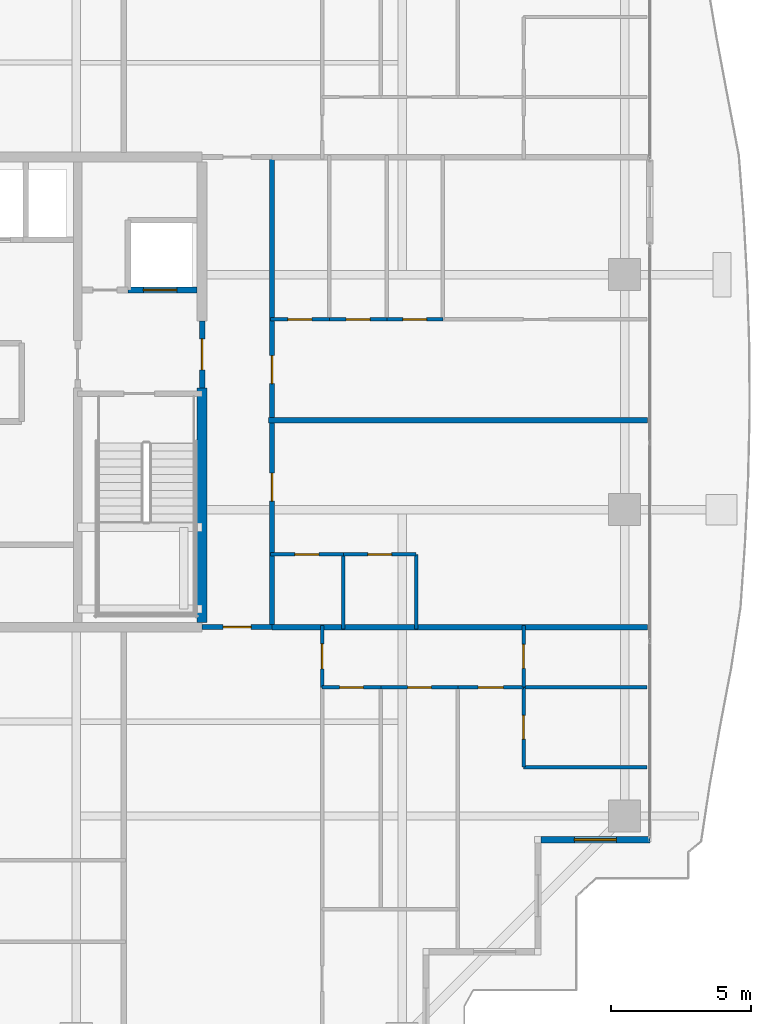
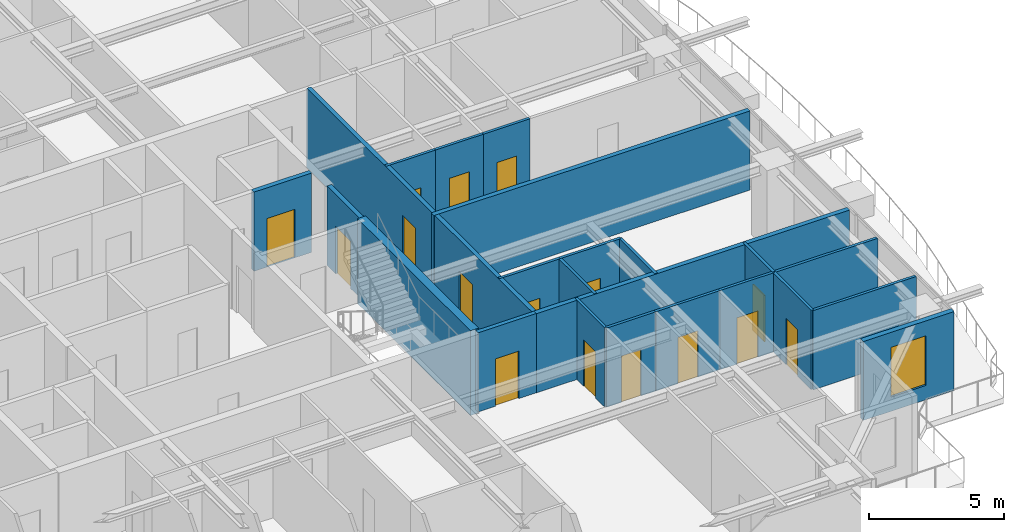
# One storey, part 28 of 38: 23 walls, 16 doors, 1 window, 17 openings.
"""IFC4 building model written with IfcOpenShell, lengths in metres."""

from ifc_helpers import new_model, si_unit, direction, frame, frame_2d, origin, place, context, subcontext, project, spatial, rectangle, extrude, source, transform, mapped, material, layer, layer_set, type_object, element, fill, save


model = new_model("IFC4")

# Units and contexts
model_context = context("Model", 3, precision=1e-05, world=origin(), true_north=direction((0.0, 1.0)))
body_context = subcontext(model_context, "Body", "Model", "MODEL_VIEW")
ifc_project = project(units=[si_unit("LENGTHUNIT", "METRE"), si_unit("AREAUNIT", "SQUARE_METRE"), si_unit("VOLUMEUNIT", "CUBIC_METRE"), si_unit("PLANEANGLEUNIT", "RADIAN"), si_unit("MASSUNIT", "GRAM", prefix="KILO")], contexts=[model_context])

# Site, building, storey
site_placement = place(None, origin())
site = spatial("IfcSite", under=ifc_project, at=site_placement, CompositionType="ELEMENT")
building_placement = place(site_placement, origin())
building = spatial("IfcBuilding", under=site, at=building_placement, Name="Serunith Strait Residences", CompositionType="ELEMENT")
storey_placement = place(building_placement, frame((0.0, 0.0, 245.10009765625)))
storey = spatial("IfcBuildingStorey", under=building, at=storey_placement, Name="L61", CompositionType="ELEMENT", Elevation=245.10009765625)

# Wall, opening, window
ifc_material_1 = material(Name="Pale-Champagne Aluminium Insulated Panel", Category="aluminium")
ifc_layer_1 = layer(ifc_material_1, 0.219970703125, Name="Pale-Champagne Aluminium Insulated Panel")
ifc_layer_set_1 = layer_set([ifc_layer_1], Name="Pale-Champagne Aluminium Insulated Panel")
wall_type_1 = type_object("IfcWallType", Name="EW-ALUM-220", PredefinedType="ELEMENTEDWALL", material=ifc_layer_set_1)
wall_1_placement = place(storey_placement, frame((53.510009765625, 9.199951171875, 0.0), z_axis=(0.0, 0.0, 1.0), x_axis=(1.0, 0.0, 0.0)))
wall_1 = element("IfcWall", 1, at=wall_1_placement, inside=storey, type_object=wall_type_1, Name="L61 Girih Serrated Corner Wall 05", PredefinedType="ELEMENTEDWALL", context=body_context, shape_type="SweptSolid", body=[
    extrude(rectangle(XDim=3.889892578125, YDim=0.219970703125, at=frame_2d((1.94482421875, 0.0))), origin(), (0.0, 0.0, 1.0), 3.574951171875),
])
opening_1_placement = place(wall_1_placement, frame((1.195068359375, 0.0, 0.64990234375)))
opening_1 = element("IfcOpeningElement", 2, at=opening_1_placement, cuts=wall_1, Name="Opening W-05", PredefinedType="OPENING", context=body_context, shape_type="SweptSolid", body=[
    extrude(rectangle(XDim=1.5, YDim=2.25, at=frame_2d((0.75, 1.125))), frame((0.0, 0.1201171875, 0.0), z_axis=(0.0, -1.0, 0.0), x_axis=(1.0, 0.0, 0.0)), (0.0, 0.0, 1.0), 0.239990234375),
])
ifc_material_2 = material(Name="Ceramic-Fritted Operable Aluminium Window Glass", Category="aluminium")
window_type = type_object("IfcWindowType", Name="WIN-C5", PartitioningType="DOUBLE_PANEL_VERTICAL", PredefinedType="WINDOW", material=ifc_material_2)
shared_shape_1 = source(origin(), body_context, "Body", "SweptSolid", [
    extrude(rectangle(XDim=1.5, YDim=2.25, at=frame_2d((0.75, 1.125))), frame((0.0, 0.030029296875, 0.0), z_axis=(0.0, -1.0, 0.0), x_axis=(1.0, 0.0, 0.0)), (0.0, 0.0, 1.0), 0.06005859375),
])
window_placement = place(opening_1_placement, origin())
window = element("IfcWindow", 3, at=window_placement, inside=storey, type_object=window_type, Name="L61 Corner Operable Fritted Window 05", OverallHeight=2.25, OverallWidth=1.5, PartitioningType="SINGLE_PANEL", PredefinedType="WINDOW", context=body_context, shape_type="MappedRepresentation", body=[
    mapped(shared_shape_1, transform((0.0, 0.0, 0.0), scale=1.0)),
])
fill(opening_1, window)

# Wall, opening, door
ifc_material_3 = material(Name="Fire-rated acoustic gypsum partition")
ifc_layer_2 = layer(ifc_material_3, 0.179931640625, Name="Fire-rated acoustic gypsum partition")
ifc_layer_set_2 = layer_set([ifc_layer_2], Name="Fire-rated acoustic gypsum partition")
wall_type_2 = type_object("IfcWallType", Name="IW-CORR-180", PredefinedType="PARTITIONING", material=ifc_layer_set_2)
wall_2_placement = place(storey_placement, frame((41.402099609375, 16.800048828125, 0.0), z_axis=(0.0, 0.0, 1.0), x_axis=(1.0, 0.0, 0.0)))
wall_2 = element("IfcWall", 4, at=wall_2_placement, inside=storey, type_object=wall_type_2, Name="L61 Partition Wall 029", PredefinedType="PARTITIONING", context=body_context, shape_type="SweptSolid", body=[
    extrude(rectangle(XDim=2.495849609375, YDim=0.179931640625, at=frame_2d((1.248046875, 0.0))), origin(), (0.0, 0.0, 1.0), 3.58984375),
])
opening_2_placement = place(wall_2_placement, frame((0.748046875, 0.0, 0.0)))
opening_2 = element("IfcOpeningElement", 5, at=opening_2_placement, cuts=wall_2, Name="Opening D-APT1000", PredefinedType="OPENING", context=body_context, shape_type="SweptSolid", body=[
    extrude(rectangle(XDim=1.0, YDim=2.14990234375, at=frame_2d((0.5, 1.074951171875))), frame((0.0, 0.10009765625, 0.0), z_axis=(0.0, -1.0, 0.0), x_axis=(1.0, 0.0, 0.0)), (0.0, 0.0, 1.0), 0.199951171875),
])
ifc_material_4 = material(Name="Solid timber engineered fire door", Category="wood")
door_type_1 = type_object("IfcDoorType", Name="ID-APT-1000", OperationType="NOTDEFINED", PredefinedType="DOOR", material=ifc_material_4)
shared_shape_2 = source(origin(), body_context, "Body", "SweptSolid", [
    extrude(rectangle(XDim=1.0, YDim=2.14990234375, at=frame_2d((0.5, 1.074951171875))), frame((0.0, 0.02490234375, 0.0), z_axis=(0.0, -1.0, 0.0), x_axis=(1.0, 0.0, 0.0)), (0.0, 0.0, 1.0), 0.050048828125),
])
door_1_placement = place(opening_2_placement, origin())
door_1 = element("IfcDoor", 6, at=door_1_placement, inside=storey, type_object=door_type_1, Name="L61 Unit 02 Entrance Door", OperationType="SINGLE_SWING_LEFT", OverallHeight=2.14990234375, OverallWidth=1.0, PredefinedType="DOOR", context=body_context, shape_type="MappedRepresentation", body=[
    mapped(shared_shape_2, transform((0.0, 0.0, 0.0), scale=1.0)),
])
fill(opening_2, door_1)

# Wall, openings, doors
wall_3_placement = place(storey_placement, frame((43.89990234375, 16.800048828125, 0.0), z_axis=(0.0, 0.0, 1.0), x_axis=(0.0, 1.0, 0.0)))
wall_3 = element("IfcWall", 7, at=wall_3_placement, inside=storey, type_object=wall_type_2, Name="L61 Partition Wall 031", PredefinedType="PARTITIONING", context=body_context, shape_type="SweptSolid", body=[
    extrude(rectangle(XDim=16.800048828125, YDim=0.179931640625, at=frame_2d((8.39990234375, 0.0))), origin(), (0.0, 0.0, 1.0), 3.58984375),
])
opening_3_placement = place(wall_3_placement, frame((4.5029296875, 0.0, 0.0)))
opening_3 = element("IfcOpeningElement", 8, at=opening_3_placement, cuts=wall_3, Name="Opening D-APT1000", PredefinedType="OPENING", context=body_context, shape_type="SweptSolid", body=[
    extrude(rectangle(XDim=1.0, YDim=2.14990234375, at=frame_2d((0.5, 1.074951171875))), frame((0.0, 0.10009765625, 0.0), z_axis=(0.0, -1.0, 0.0), x_axis=(1.0, 0.0, 0.0)), (0.0, 0.0, 1.0), 0.199951171875),
])
opening_4_placement = place(wall_3_placement, frame((8.7060546875, 0.0, 0.0)))
opening_4 = element("IfcOpeningElement", 9, at=opening_4_placement, cuts=wall_3, Name="Opening D-APT1000", PredefinedType="OPENING", context=body_context, shape_type="SweptSolid", body=[
    extrude(rectangle(XDim=1.0, YDim=2.14990234375, at=frame_2d((0.5, 1.074951171875))), frame((0.0, 0.10009765625, 0.0), z_axis=(0.0, -1.0, 0.0), x_axis=(1.0, 0.0, 0.0)), (0.0, 0.0, 1.0), 0.199951171875),
])
door_2_placement = place(opening_3_placement, origin())
door_2 = element("IfcDoor", 10, at=door_2_placement, inside=storey, type_object=door_type_1, Name="L61 Unit 07 Entrance Door", OperationType="SINGLE_SWING_LEFT", OverallHeight=2.14990234375, OverallWidth=1.0, PredefinedType="DOOR", context=body_context, shape_type="MappedRepresentation", body=[
    mapped(shared_shape_2, transform((0.0, 0.0, 0.0), scale=1.0)),
])
fill(opening_3, door_2)
door_3_placement = place(opening_4_placement, origin())
door_3 = element("IfcDoor", 11, at=door_3_placement, inside=storey, type_object=door_type_1, Name="L61 Unit 08 Entrance Door", OperationType="SINGLE_SWING_RIGHT", OverallHeight=2.14990234375, OverallWidth=1.0, PredefinedType="DOOR", context=body_context, shape_type="MappedRepresentation", body=[
    mapped(shared_shape_2, transform((0.0, 0.0, 0.0), scale=1.0)),
])
fill(opening_4, door_3)

# Wall, opening, door
ifc_material_5 = material(Name="Lightweight steel-stud gypsum partition", Category="steel")
ifc_layer_3 = layer(ifc_material_5, 0.1201171875, Name="Lightweight steel-stud gypsum partition")
ifc_layer_set_3 = layer_set([ifc_layer_3], Name="Lightweight steel-stud gypsum partition")
wall_type_3 = type_object("IfcWallType", Name="IW-PART-120", PredefinedType="PARTITIONING", material=ifc_layer_set_3)
wall_4_placement = place(storey_placement, frame((45.68994140625, 14.64990234375, 0.0), z_axis=(0.0, 0.0, 1.0), x_axis=(0.0, 1.0, 0.0)))
wall_4 = element("IfcWall", 12, at=wall_4_placement, inside=storey, type_object=wall_type_3, Name="L61 Partition Wall 054", PredefinedType="PARTITIONING", context=body_context, shape_type="SweptSolid", body=[
    extrude(rectangle(XDim=2.210205078125, YDim=0.1201171875, at=frame_2d((1.10498046875, 0.0))), origin(), (0.0, 0.0, 1.0), 3.58984375),
])
opening_5_placement = place(wall_4_placement, frame((0.655029296875, 0.0, 0.0)))
opening_5 = element("IfcOpeningElement", 13, at=opening_5_placement, cuts=wall_4, Name="Opening D-RM900", PredefinedType="OPENING", context=body_context, shape_type="SweptSolid", body=[
    extrude(rectangle(XDim=0.89990234375, YDim=2.10009765625, at=frame_2d((0.449951171875, 1.050048828125))), frame((0.0, 0.070068359375, 0.0), z_axis=(0.0, -1.0, 0.0), x_axis=(1.0, 0.0, 0.0)), (0.0, 0.0, 1.0), 0.14013671875),
])
ifc_material_6 = material(Name="Engineered timber flush bedroom door", Category="wood")
door_type_2 = type_object("IfcDoorType", Name="ID-ROOM-900", OperationType="NOTDEFINED", PredefinedType="DOOR", material=ifc_material_6)
shared_shape_3 = source(origin(), body_context, "Body", "SweptSolid", [
    extrude(rectangle(XDim=0.89990234375, YDim=2.10009765625, at=frame_2d((0.449951171875, 1.050048828125))), frame((0.0, 0.02490234375, 0.0), z_axis=(0.0, -1.0, 0.0), x_axis=(1.0, 0.0, 0.0)), (0.0, 0.0, 1.0), 0.050048828125),
])
door_4_placement = place(opening_5_placement, origin())
door_4 = element("IfcDoor", 14, at=door_4_placement, inside=storey, type_object=door_type_2, Name="L61 Hall E 6102 Door", OperationType="SINGLE_SWING_RIGHT", OverallHeight=2.10009765625, OverallWidth=0.89990234375, PredefinedType="DOOR", context=body_context, shape_type="MappedRepresentation", body=[
    mapped(shared_shape_3, transform((0.0, 0.0, 0.0), scale=1.0)),
])
fill(opening_5, door_4)

wall_5_placement = place(storey_placement, frame((45.68994140625, 14.64990234375, 0.0), z_axis=(0.0, 0.0, 1.0), x_axis=(1.0, 0.0, 0.0)))
wall_5 = element("IfcWall", 15, at=wall_5_placement, inside=storey, type_object=wall_type_3, Name="L61 Partition Wall 060", PredefinedType="PARTITIONING", context=body_context, shape_type="SweptSolid", body=[
    extrude(rectangle(XDim=2.10009765625, YDim=0.1201171875, at=frame_2d((1.050048828125, 0.0))), origin(), (0.0, 0.0, 1.0), 3.58984375),
])
opening_6_placement = place(wall_5_placement, frame((0.625, 0.0, 0.0)))
opening_6 = element("IfcOpeningElement", 16, at=opening_6_placement, cuts=wall_5, Name="Opening D-BTH850", PredefinedType="OPENING", context=body_context, shape_type="SweptSolid", body=[
    extrude(rectangle(XDim=0.85009765625, YDim=2.10009765625, at=frame_2d((0.425048828125, 1.050048828125))), frame((0.0, 0.070068359375, 0.0), z_axis=(0.0, -1.0, 0.0), x_axis=(1.0, 0.0, 0.0)), (0.0, 0.0, 1.0), 0.14013671875),
])
ifc_material_7 = material(Name="Moisture-resistant timber bathroom door", Category="wood")
door_type_3 = type_object("IfcDoorType", Name="ID-BATH-850", OperationType="NOTDEFINED", PredefinedType="DOOR", material=ifc_material_7)
shared_shape_4 = source(origin(), body_context, "Body", "SweptSolid", [
    extrude(rectangle(XDim=0.85009765625, YDim=2.10009765625, at=frame_2d((0.425048828125, 1.050048828125))), frame((0.0, 0.02490234375, 0.0), z_axis=(0.0, -1.0, 0.0), x_axis=(1.0, 0.0, 0.0)), (0.0, 0.0, 1.0), 0.050048828125),
])
door_5_placement = place(opening_6_placement, origin())
door_5 = element("IfcDoor", 17, at=door_5_placement, inside=storey, type_object=door_type_3, Name="L61 Bathroom 6102 Door", OperationType="SINGLE_SWING_RIGHT", OverallHeight=2.10009765625, OverallWidth=0.85009765625, PredefinedType="DOOR", context=body_context, shape_type="MappedRepresentation", body=[
    mapped(shared_shape_4, transform((0.0, 0.0, 0.0), scale=1.0)),
])
fill(opening_6, door_5)

wall_6_placement = place(storey_placement, frame((47.7919921875, 14.64990234375, 0.0), z_axis=(0.0, 0.0, 1.0), x_axis=(1.0, 0.0, 0.0)))
wall_6 = element("IfcWall", 18, at=wall_6_placement, inside=storey, type_object=wall_type_3, Name="L61 Partition Wall 061", PredefinedType="PARTITIONING", context=body_context, shape_type="SweptSolid", body=[
    extrude(rectangle(XDim=2.748046875, YDim=0.1201171875, at=frame_2d((1.3740234375, 0.0))), origin(), (0.0, 0.0, 1.0), 3.58984375),
])
opening_7_placement = place(wall_6_placement, frame((0.948974609375, 0.0, 0.0)))
opening_7 = element("IfcOpeningElement", 19, at=opening_7_placement, cuts=wall_6, Name="Opening D-RM850", PredefinedType="OPENING", context=body_context, shape_type="SweptSolid", body=[
    extrude(rectangle(XDim=0.85009765625, YDim=2.10009765625, at=frame_2d((0.425048828125, 1.050048828125))), frame((0.0, 0.070068359375, 0.0), z_axis=(0.0, -1.0, 0.0), x_axis=(1.0, 0.0, 0.0)), (0.0, 0.0, 1.0), 0.14013671875),
])
ifc_material_8 = material(Name="Engineered timber flush study and kitchen door", Category="wood")
door_type_4 = type_object("IfcDoorType", Name="ID-ROOM-850", OperationType="NOTDEFINED", PredefinedType="DOOR", material=ifc_material_8)
door_6_placement = place(opening_7_placement, origin())
door_6 = element("IfcDoor", 20, at=door_6_placement, inside=storey, type_object=door_type_4, Name="L61 Kitchen 6102 Door", OperationType="SINGLE_SWING_LEFT", OverallHeight=2.10009765625, OverallWidth=0.85009765625, PredefinedType="DOOR", context=body_context, shape_type="MappedRepresentation", body=[
    mapped(shared_shape_4, transform((0.0, 0.0, 0.0), scale=1.0)),
])
fill(opening_7, door_6)

wall_7_placement = place(storey_placement, frame((50.5419921875, 14.64990234375, 0.0), z_axis=(0.0, 0.0, 1.0), x_axis=(1.0, 0.0, 0.0)))
wall_7 = element("IfcWall", 21, at=wall_7_placement, inside=storey, type_object=wall_type_3, Name="L61 Partition Wall 062", PredefinedType="PARTITIONING", context=body_context, shape_type="SweptSolid", body=[
    extrude(rectangle(XDim=2.347900390625, YDim=0.1201171875, at=frame_2d((1.173828125, 0.0))), origin(), (0.0, 0.0, 1.0), 3.58984375),
])
opening_8_placement = place(wall_7_placement, frame((0.72412109375, 0.0, 0.0)))
opening_8 = element("IfcOpeningElement", 22, at=opening_8_placement, cuts=wall_7, Name="Opening D-RM900", PredefinedType="OPENING", context=body_context, shape_type="SweptSolid", body=[
    extrude(rectangle(XDim=0.89990234375, YDim=2.10009765625, at=frame_2d((0.449951171875, 1.050048828125))), frame((0.0, 0.070068359375, 0.0), z_axis=(0.0, -1.0, 0.0), x_axis=(1.0, 0.0, 0.0)), (0.0, 0.0, 1.0), 0.14013671875),
])
door_7_placement = place(opening_8_placement, origin())
door_7 = element("IfcDoor", 23, at=door_7_placement, inside=storey, type_object=door_type_2, Name="L61 Master Bedroom E 6102 Door", OperationType="SINGLE_SWING_RIGHT", OverallHeight=2.10009765625, OverallWidth=0.89990234375, PredefinedType="DOOR", context=body_context, shape_type="MappedRepresentation", body=[
    mapped(shared_shape_3, transform((0.0, 0.0, 0.0), scale=1.0)),
])
fill(opening_8, door_7)

# Walls
wall_8_placement = place(storey_placement, frame((52.889892578125, 11.79296875, 0.0), z_axis=(0.0, 0.0, 1.0), x_axis=(1.0, 0.0, 0.0)))
element("IfcWall", 24, at=wall_8_placement, inside=storey, type_object=wall_type_3, Name="L61 Partition Wall 063", PredefinedType="PARTITIONING", context=body_context, shape_type="SweptSolid", body=[
    extrude(rectangle(XDim=4.4150390625, YDim=0.1201171875, at=frame_2d((2.20751953125, 0.0))), origin(), (0.0, 0.0, 1.0), 3.58984375),
])
wall_9_placement = place(storey_placement, frame((52.89208984375, 14.64990234375, 0.0), z_axis=(0.0, 0.0, 1.0), x_axis=(1.0, 0.0, 0.0)))
element("IfcWall", 25, at=wall_9_placement, inside=storey, type_object=wall_type_3, Name="L61 Partition Wall 064", PredefinedType="PARTITIONING", context=body_context, shape_type="SweptSolid", body=[
    extrude(rectangle(XDim=4.412841796875, YDim=0.1201171875, at=frame_2d((2.20654296875, 0.0))), origin(), (0.0, 0.0, 1.0), 3.58984375),
])

# Wall, opening, door
wall_10_placement = place(storey_placement, frame((52.889892578125, 11.79296875, 0.0), z_axis=(0.0, 0.0, 1.0), x_axis=(0.0, 1.0, 0.0)))
wall_10 = element("IfcWall", 26, at=wall_10_placement, inside=storey, type_object=wall_type_3, Name="L61 Partition Wall 065", PredefinedType="PARTITIONING", context=body_context, shape_type="SweptSolid", body=[
    extrude(rectangle(XDim=2.85693359375, YDim=0.1201171875, at=frame_2d((1.428466796875, 0.0))), origin(), (0.0, 0.0, 1.0), 3.58984375),
])
opening_9_placement = place(wall_10_placement, frame((1.00390625, 0.0, 0.0)))
opening_9 = element("IfcOpeningElement", 27, at=opening_9_placement, cuts=wall_10, Name="Opening D-BTH850", PredefinedType="OPENING", context=body_context, shape_type="SweptSolid", body=[
    extrude(rectangle(XDim=0.85009765625, YDim=2.10009765625, at=frame_2d((0.425048828125, 1.050048828125))), frame((0.0, 0.070068359375, 0.0), z_axis=(0.0, -1.0, 0.0), x_axis=(1.0, 0.0, 0.0)), (0.0, 0.0, 1.0), 0.14013671875),
])
door_8_placement = place(opening_9_placement, origin())
door_8 = element("IfcDoor", 28, at=door_8_placement, inside=storey, type_object=door_type_3, Name="L61 En-suite Bathroom E 6102 Door", OperationType="SINGLE_SWING_LEFT", OverallHeight=2.10009765625, OverallWidth=0.85009765625, PredefinedType="DOOR", context=body_context, shape_type="MappedRepresentation", body=[
    mapped(shared_shape_4, transform((0.0, 0.0, 0.0), scale=1.0)),
])
fill(opening_9, door_8)

wall_11_placement = place(storey_placement, frame((52.889892578125, 14.652099609375, 0.0), z_axis=(0.0, 0.0, 1.0), x_axis=(0.0, 1.0, 0.0)))
wall_11 = element("IfcWall", 29, at=wall_11_placement, inside=storey, type_object=wall_type_3, Name="L61 Partition Wall 066", PredefinedType="PARTITIONING", context=body_context, shape_type="SweptSolid", body=[
    extrude(rectangle(XDim=2.2080078125, YDim=0.1201171875, at=frame_2d((1.10400390625, 0.0))), origin(), (0.0, 0.0, 1.0), 3.58984375),
])
opening_10_placement = place(wall_11_placement, frame((0.678955078125, 0.0, 0.0)))
opening_10 = element("IfcOpeningElement", 30, at=opening_10_placement, cuts=wall_11, Name="Opening D-RM850", PredefinedType="OPENING", context=body_context, shape_type="SweptSolid", body=[
    extrude(rectangle(XDim=0.85009765625, YDim=2.10009765625, at=frame_2d((0.425048828125, 1.050048828125))), frame((0.0, 0.070068359375, 0.0), z_axis=(0.0, -1.0, 0.0), x_axis=(1.0, 0.0, 0.0)), (0.0, 0.0, 1.0), 0.14013671875),
])
door_9_placement = place(opening_10_placement, origin())
door_9 = element("IfcDoor", 31, at=door_9_placement, inside=storey, type_object=door_type_4, Name="L61 Wardrobe E 6102 Door", OperationType="SINGLE_SWING_RIGHT", OverallHeight=2.10009765625, OverallWidth=0.85009765625, PredefinedType="DOOR", context=body_context, shape_type="MappedRepresentation", body=[
    mapped(shared_shape_4, transform((0.0, 0.0, 0.0), scale=1.0)),
])
fill(opening_10, door_9)

wall_12_placement = place(storey_placement, frame((49.050048828125, 19.39990234375, 0.0), z_axis=(0.0, 0.0, 1.0), x_axis=(-1.0, 0.0, 0.0)))
wall_12 = element("IfcWall", 32, at=wall_12_placement, inside=storey, type_object=wall_type_3, Name="L61 Partition Wall 110", PredefinedType="PARTITIONING", context=body_context, shape_type="SweptSolid", body=[
    extrude(rectangle(XDim=2.60009765625, YDim=0.1201171875, at=frame_2d((1.300048828125, 0.0))), origin(), (0.0, 0.0, 1.0), 3.58984375),
])
opening_11_placement = place(wall_12_placement, frame((0.875, 0.0, 0.0)))
opening_11 = element("IfcOpeningElement", 33, at=opening_11_placement, cuts=wall_12, Name="Opening D-RM850", PredefinedType="OPENING", context=body_context, shape_type="SweptSolid", body=[
    extrude(rectangle(XDim=0.85009765625, YDim=2.10009765625, at=frame_2d((0.425048828125, 1.050048828125))), frame((0.0, 0.070068359375, 0.0), z_axis=(0.0, -1.0, 0.0), x_axis=(1.0, 0.0, 0.0)), (0.0, 0.0, 1.0), 0.14013671875),
])
door_10_placement = place(opening_11_placement, origin())
door_10 = element("IfcDoor", 34, at=door_10_placement, inside=storey, type_object=door_type_4, Name="L61 Kitchen 6107 Door", OperationType="SINGLE_SWING_LEFT", OverallHeight=2.10009765625, OverallWidth=0.85009765625, PredefinedType="DOOR", context=body_context, shape_type="MappedRepresentation", body=[
    mapped(shared_shape_4, transform((0.0, 0.0, 0.0), scale=1.0)),
])
fill(opening_11, door_10)

wall_13_placement = place(storey_placement, frame((46.447998046875, 19.39990234375, 0.0), z_axis=(0.0, 0.0, 1.0), x_axis=(-1.0, 0.0, 0.0)))
wall_13 = element("IfcWall", 35, at=wall_13_placement, inside=storey, type_object=wall_type_3, Name="L61 Partition Wall 111", PredefinedType="PARTITIONING", context=body_context, shape_type="SweptSolid", body=[
    extrude(rectangle(XDim=2.60791015625, YDim=0.1201171875, at=frame_2d((1.303955078125, 0.0))), origin(), (0.0, 0.0, 1.0), 3.58984375),
])
opening_12_placement = place(wall_13_placement, frame((0.87890625, 0.0, 0.0)))
opening_12 = element("IfcOpeningElement", 36, at=opening_12_placement, cuts=wall_13, Name="Opening D-BTH850", PredefinedType="OPENING", context=body_context, shape_type="SweptSolid", body=[
    extrude(rectangle(XDim=0.85009765625, YDim=2.10009765625, at=frame_2d((0.425048828125, 1.050048828125))), frame((0.0, 0.070068359375, 0.0), z_axis=(0.0, -1.0, 0.0), x_axis=(1.0, 0.0, 0.0)), (0.0, 0.0, 1.0), 0.14013671875),
])
door_11_placement = place(opening_12_placement, origin())
door_11 = element("IfcDoor", 37, at=door_11_placement, inside=storey, type_object=door_type_3, Name="L61 Bathroom 6107 Door", OperationType="SINGLE_SWING_RIGHT", OverallHeight=2.10009765625, OverallWidth=0.85009765625, PredefinedType="DOOR", context=body_context, shape_type="MappedRepresentation", body=[
    mapped(shared_shape_4, transform((0.0, 0.0, 0.0), scale=1.0)),
])
fill(opening_12, door_11)

# Walls
for number, where, z_axis, x_axis, name in (
    (38, (46.449951171875, 16.739990234375, 0.0), (0.0, 0.0, 1.0), (0.0, 1.0, 0.0), "L61 Partition Wall 112"),
    (39, (49.050048828125, 16.739990234375, 0.0), (0.0, 0.0, 1.0), (0.0, 1.0, 0.0), "L61 Partition Wall 113"),
):
    element("IfcWall", number, at=place(storey_placement, frame(where, z_axis=z_axis, x_axis=x_axis)), inside=storey, type_object=wall_type_3, Name=name, PredefinedType="PARTITIONING", context=body_context, shape_type="SweptSolid", body=[
        extrude(rectangle(XDim=2.659912109375, YDim=0.1201171875, at=frame_2d((1.330078125, 0.0))), origin(), (0.0, 0.0, 1.0), 3.58984375),
    ])

# Wall, opening, door
wall_14_placement = place(storey_placement, frame((50.0009765625, 27.800048828125, 0.0), z_axis=(0.0, 0.0, 1.0), x_axis=(-1.0, 0.0, 0.0)))
wall_14 = element("IfcWall", 40, at=wall_14_placement, inside=storey, type_object=wall_type_3, Name="L61 Partition Wall 118", PredefinedType="PARTITIONING", context=body_context, shape_type="SweptSolid", body=[
    extrude(rectangle(XDim=1.998046875, YDim=0.1201171875, at=frame_2d((0.9990234375, 0.0))), origin(), (0.0, 0.0, 1.0), 3.58984375),
])
opening_13_placement = place(wall_14_placement, frame((0.573974609375, 0.0, 0.0)))
opening_13 = element("IfcOpeningElement", 41, at=opening_13_placement, cuts=wall_14, Name="Opening D-RM850", PredefinedType="OPENING", context=body_context, shape_type="SweptSolid", body=[
    extrude(rectangle(XDim=0.85009765625, YDim=2.10009765625, at=frame_2d((0.425048828125, 1.050048828125))), frame((0.0, 0.070068359375, 0.0), z_axis=(0.0, -1.0, 0.0), x_axis=(1.0, 0.0, 0.0)), (0.0, 0.0, 1.0), 0.14013671875),
])
door_12_placement = place(opening_13_placement, origin())
door_12 = element("IfcDoor", 42, at=door_12_placement, inside=storey, type_object=door_type_4, Name="L61 Dining 6108 Door", OperationType="SINGLE_SWING_RIGHT", OverallHeight=2.10009765625, OverallWidth=0.85009765625, PredefinedType="DOOR", context=body_context, shape_type="MappedRepresentation", body=[
    mapped(shared_shape_4, transform((0.0, 0.0, 0.0), scale=1.0)),
])
fill(opening_13, door_12)

wall_15_placement = place(storey_placement, frame((48.0009765625, 27.800048828125, 0.0), z_axis=(0.0, 0.0, 1.0), x_axis=(-1.0, 0.0, 0.0)))
wall_15 = element("IfcWall", 43, at=wall_15_placement, inside=storey, type_object=wall_type_3, Name="L61 Partition Wall 119", PredefinedType="PARTITIONING", context=body_context, shape_type="SweptSolid", body=[
    extrude(rectangle(XDim=2.051025390625, YDim=0.1201171875, at=frame_2d((1.025390625, 0.0))), origin(), (0.0, 0.0, 1.0), 3.58984375),
])
opening_14_placement = place(wall_15_placement, frame((0.60009765625, 0.0, 0.0)))
opening_14 = element("IfcOpeningElement", 44, at=opening_14_placement, cuts=wall_15, Name="Opening D-RM850", PredefinedType="OPENING", context=body_context, shape_type="SweptSolid", body=[
    extrude(rectangle(XDim=0.85009765625, YDim=2.10009765625, at=frame_2d((0.425048828125, 1.050048828125))), frame((0.0, 0.070068359375, 0.0), z_axis=(0.0, -1.0, 0.0), x_axis=(1.0, 0.0, 0.0)), (0.0, 0.0, 1.0), 0.14013671875),
])
door_13_placement = place(opening_14_placement, origin())
door_13 = element("IfcDoor", 45, at=door_13_placement, inside=storey, type_object=door_type_4, Name="L61 Kitchen 6108 Door", OperationType="SINGLE_SWING_LEFT", OverallHeight=2.10009765625, OverallWidth=0.85009765625, PredefinedType="DOOR", context=body_context, shape_type="MappedRepresentation", body=[
    mapped(shared_shape_4, transform((0.0, 0.0, 0.0), scale=1.0)),
])
fill(opening_14, door_13)

wall_16_placement = place(storey_placement, frame((45.947998046875, 27.800048828125, 0.0), z_axis=(0.0, 0.0, 1.0), x_axis=(-1.0, 0.0, 0.0)))
wall_16 = element("IfcWall", 46, at=wall_16_placement, inside=storey, type_object=wall_type_3, Name="L61 Partition Wall 120", PredefinedType="PARTITIONING", context=body_context, shape_type="SweptSolid", body=[
    extrude(rectangle(XDim=2.10791015625, YDim=0.1201171875, at=frame_2d((1.053955078125, 0.0))), origin(), (0.0, 0.0, 1.0), 3.58984375),
])
opening_15_placement = place(wall_16_placement, frame((0.62890625, 0.0, 0.0)))
opening_15 = element("IfcOpeningElement", 47, at=opening_15_placement, cuts=wall_16, Name="Opening D-BTH850", PredefinedType="OPENING", context=body_context, shape_type="SweptSolid", body=[
    extrude(rectangle(XDim=0.85009765625, YDim=2.10009765625, at=frame_2d((0.425048828125, 1.050048828125))), frame((0.0, 0.070068359375, 0.0), z_axis=(0.0, -1.0, 0.0), x_axis=(1.0, 0.0, 0.0)), (0.0, 0.0, 1.0), 0.14013671875),
])
door_14_placement = place(opening_15_placement, origin())
door_14 = element("IfcDoor", 48, at=door_14_placement, inside=storey, type_object=door_type_3, Name="L61 Bathroom 6108 Door", OperationType="SINGLE_SWING_RIGHT", OverallHeight=2.10009765625, OverallWidth=0.85009765625, PredefinedType="DOOR", context=body_context, shape_type="MappedRepresentation", body=[
    mapped(shared_shape_4, transform((0.0, 0.0, 0.0), scale=1.0)),
])
fill(opening_15, door_14)

# Walls
ifc_material_9 = material(Name="Twin-stud acoustic gypsum board partition")
ifc_layer_4 = layer(ifc_material_9, 0.199951171875, Name="Twin-stud acoustic gypsum board partition")
ifc_layer_set_4 = layer_set([ifc_layer_4], Name="Twin-stud acoustic gypsum board partition")
wall_type_4 = type_object("IfcWallType", Name="IW-PARTY-200", PredefinedType="PARTITIONING", material=ifc_layer_set_4)
wall_17_placement = place(storey_placement, frame((43.780029296875, 24.199951171875, 0.0), z_axis=(0.0, 0.0, 1.0), x_axis=(1.0, 0.0, 0.0)))
element("IfcWall", 49, at=wall_17_placement, inside=storey, type_object=wall_type_4, Name="L61 Partition Wall 021", PredefinedType="PARTITIONING", context=body_context, shape_type="SweptSolid", body=[
    extrude(rectangle(XDim=13.5380859375, YDim=0.199951171875, at=frame_2d((6.76904296875, 0.0))), origin(), (0.0, 0.0, 1.0), 3.58984375),
])
wall_18_placement = place(storey_placement, frame((43.89990234375, 16.800048828125, 0.0), z_axis=(0.0, 0.0, 1.0), x_axis=(1.0, 0.0, 0.0)))
element("IfcWall", 50, at=wall_18_placement, inside=storey, type_object=wall_type_4, Name="L61 Partition Wall 023", PredefinedType="PARTITIONING", context=body_context, shape_type="SweptSolid", body=[
    extrude(rectangle(XDim=13.418212890625, YDim=0.199951171875, at=frame_2d((6.708984375, 0.0))), origin(), (0.0, 0.0, 1.0), 3.58984375),
])

# Wall, opening, door
ifc_material_10 = material(Name="Autoclaved aerated concrete blockwork", Category="masonry")
ifc_layer_5 = layer(ifc_material_10, 0.199951171875, Name="Autoclaved aerated concrete blockwork")
ifc_layer_set_5 = layer_set([ifc_layer_5], Name="Autoclaved aerated concrete blockwork")
wall_type_5 = type_object("IfcWallType", Name="IW-SHAFT-200", PredefinedType="STANDARD", material=ifc_layer_set_5)
wall_19_placement = place(storey_placement, frame((38.75, 28.85009765625, 0.0), z_axis=(0.0, 0.0, 1.0), x_axis=(1.0, 0.0, 0.0)))
wall_19 = element("IfcWall", 51, at=wall_19_placement, inside=storey, type_object=wall_type_5, Name="L61 FL-2 South Shaft Wall", PredefinedType="STANDARD", context=body_context, shape_type="SweptSolid", body=[
    extrude(rectangle(XDim=2.47509765625, YDim=0.199951171875, at=frame_2d((1.237548828125, 0.0))), origin(), (0.0, 0.0, 1.0), 3.58984375),
])
opening_16_placement = place(wall_19_placement, frame((0.550048828125, 0.0, 0.0)))
opening_16 = element("IfcOpeningElement", 52, at=opening_16_placement, cuts=wall_19, Name="Opening LD-FF1200", PredefinedType="OPENING", context=body_context, shape_type="SweptSolid", body=[
    extrude(rectangle(XDim=1.199951171875, YDim=2.199951171875, at=frame_2d((0.60009765625, 1.10009765625))), frame((0.0, 0.10986328125, 0.0), z_axis=(0.0, -1.0, 0.0), x_axis=(1.0, 0.0, 0.0)), (0.0, 0.0, 1.0), 0.219970703125),
])
ifc_material_11 = material(Name="Brushed stainless steel landing door", Category="steel")
door_type_5 = type_object("IfcDoorType", Name="LD-FF-1200", OperationType="DOUBLE_DOOR_SLIDING", PredefinedType="DOOR", material=ifc_material_11)
shared_shape_5 = source(origin(), body_context, "Body", "SweptSolid", [
    extrude(rectangle(XDim=1.199951171875, YDim=2.199951171875, at=frame_2d((0.60009765625, 1.10009765625))), frame((0.0, 0.02490234375, 0.0), z_axis=(0.0, -1.0, 0.0), x_axis=(1.0, 0.0, 0.0)), (0.0, 0.0, 1.0), 0.050048828125),
])
door_15_placement = place(opening_16_placement, origin())
door_15 = element("IfcDoor", 53, at=door_15_placement, inside=storey, type_object=door_type_5, Name="L61 FL-2 Landing Door", OperationType="DOUBLE_DOOR_SLIDING", OverallHeight=2.199951171875, OverallWidth=1.199951171875, PredefinedType="DOOR", context=body_context, shape_type="MappedRepresentation", body=[
    mapped(shared_shape_5, transform((0.0, 0.0, 0.0), scale=1.0)),
])
fill(opening_16, door_15)

wall_20_placement = place(storey_placement, frame((41.39990234375, 25.35205078125, 0.0), z_axis=(0.0, 0.0, 1.0), x_axis=(0.0, 1.0, 0.0)))
wall_20 = element("IfcWall", 54, at=wall_20_placement, inside=storey, type_object=wall_type_5, Name="L61 Partition Wall 008", PredefinedType="STANDARD", context=body_context, shape_type="SweptSolid", body=[
    extrude(rectangle(XDim=2.39599609375, YDim=0.199951171875, at=frame_2d((1.197998046875, 0.0))), origin(), (0.0, 0.0, 1.0), 3.58984375),
])
opening_17_placement = place(wall_20_placement, frame((0.64794921875, 0.0, 0.0)))
opening_17 = element("IfcOpeningElement", 55, at=opening_17_placement, cuts=wall_20, Name="Opening FD-FFL", PredefinedType="OPENING", context=body_context, shape_type="SweptSolid", body=[
    extrude(rectangle(XDim=1.10009765625, YDim=2.14990234375, at=frame_2d((0.550048828125, 1.074951171875))), frame((0.0, 0.10986328125, 0.0), z_axis=(0.0, -1.0, 0.0), x_axis=(1.0, 0.0, 0.0)), (0.0, 0.0, 1.0), 0.219970703125),
])
ifc_material_12 = material(Name="Glazed steel smoke-lobby fire door", Category="steel")
door_type_6 = type_object("IfcDoorType", Name="FD-FFL-1100", OperationType="NOTDEFINED", PredefinedType="DOOR", material=ifc_material_12)
shared_shape_6 = source(origin(), body_context, "Body", "SweptSolid", [
    extrude(rectangle(XDim=1.10009765625, YDim=2.14990234375, at=frame_2d((0.550048828125, 1.074951171875))), frame((0.0, 0.02490234375, 0.0), z_axis=(0.0, -1.0, 0.0), x_axis=(1.0, 0.0, 0.0)), (0.0, 0.0, 1.0), 0.050048828125),
])
door_16_placement = place(opening_17_placement, origin())
door_16 = element("IfcDoor", 56, at=door_16_placement, inside=storey, type_object=door_type_6, Name="L61 FFL-2 Corridor Fire Door", OperationType="SINGLE_SWING_RIGHT", OverallHeight=2.14990234375, OverallWidth=1.10009765625, PredefinedType="DOOR", context=body_context, shape_type="MappedRepresentation", body=[
    mapped(shared_shape_6, transform((0.0, 0.0, 0.0), scale=1.0)),
])
fill(opening_17, door_16)

# Wall
ifc_material_13 = material(Name="Concrete C60/75", Category="concrete")
ifc_layer_6 = layer(ifc_material_13, 0.35009765625, Name="Concrete C60/75")
ifc_layer_set_6 = layer_set([ifc_layer_6], Name="Concrete C60/75")
wall_type_6 = type_object("IfcWallType", Name="SW-350-C60", PredefinedType="SHEAR", material=ifc_layer_set_6)
wall_21_placement = place(storey_placement, frame((41.39990234375, 16.97509765625, -0.260009765625), z_axis=(0.0, 0.0, 1.0), x_axis=(0.0, 1.0, 0.0)))
element("IfcWall", 57, at=wall_21_placement, inside=storey, type_object=wall_type_6, Name="L61 Core East Shear Wall South Pier", PredefinedType="SHEAR", context=body_context, shape_type="SweptSolid", body=[
    extrude(rectangle(XDim=8.375, YDim=0.35009765625, at=frame_2d((4.1875, 0.0))), origin(), (0.0, 0.0, 1.0), 3.847900390625),
])

save(model, "model.ifc")
